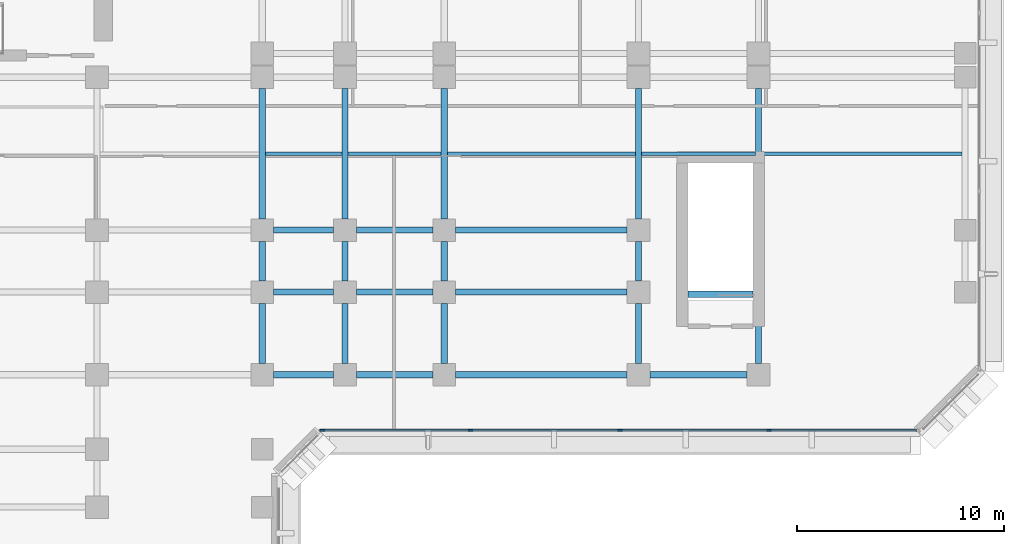
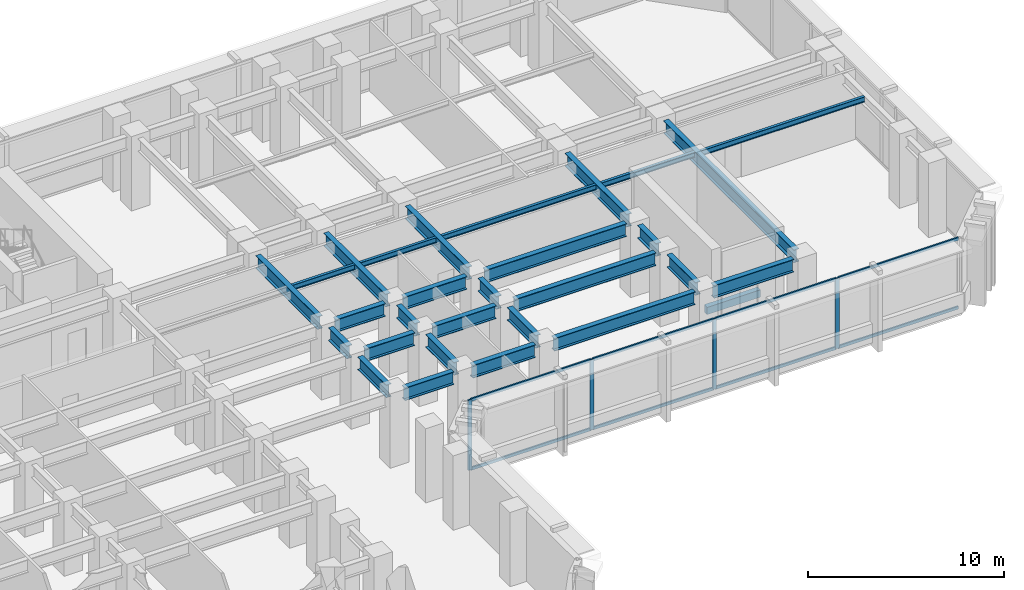
# One storey, part 3 of 14: 29 beams, 12 members, 1 element without a shape of its own.
"""IFC4 building model written with IfcOpenShell, lengths in metres."""

from ifc_helpers import new_model, si_unit, direction, frame, origin, origin_2d, place, context, subcontext, project, spatial, rectangle, i_section, extrude, material, layer, layer_set, material_profile, profile_set, type_object, element, aggregate, save


model = new_model("IFC4")

# Units and contexts
model_context = context("Model", 3, precision=1e-05, world=origin(), true_north=direction((0.0, 1.0)))
body_context = subcontext(model_context, "Body", "Model", "MODEL_VIEW")
ifc_project = project(units=[si_unit("LENGTHUNIT", "METRE"), si_unit("AREAUNIT", "SQUARE_METRE"), si_unit("VOLUMEUNIT", "CUBIC_METRE"), si_unit("PLANEANGLEUNIT", "RADIAN"), si_unit("MASSUNIT", "GRAM", prefix="KILO")], contexts=[model_context])

# Site, building, storey
site_placement = place(None, origin())
site = spatial("IfcSite", under=ifc_project, at=site_placement, CompositionType="ELEMENT")
building_placement = place(site_placement, origin())
building = spatial("IfcBuilding", under=site, at=building_placement, Name="Kefirva Bronze Tower", CompositionType="ELEMENT")
storey_placement = place(building_placement, frame((0.0, 0.0, 25.739990234375)))
storey = spatial("IfcBuildingStorey", under=building, at=storey_placement, Name="L05", CompositionType="ELEMENT", Elevation=25.739990234375)

# Curtain wall, members
ifc_material_1 = material(Name="Bronze anodised aluminium", Category="aluminium")
ifc_layer = layer(ifc_material_1, 0.239990234375, Name="Bronze anodised aluminium")
ifc_layer_set = layer_set([ifc_layer], Name="Bronze anodised aluminium")
curtain_wall_type = type_object("IfcCurtainWallType", Name="Podium Double-Height Glazed Curtain Wall", PredefinedType="USERDEFINED", material=ifc_layer_set)
curtain_wall_placement = place(storey_placement, origin())
curtain_wall = element("IfcCurtainWall", 1, at=curtain_wall_placement, inside=storey, type_object=curtain_wall_type, Name="L05 Curtain Wall 2", ObjectType="UNITISED CURTAIN WALL", PredefinedType="USERDEFINED")
ifc_material_profile_1 = material_profile(ifc_material_1, rectangle(XDim=0.090087890625, YDim=0.219970703125, at=origin_2d()), Name="ALU 90x220")
ifc_profile_set_1 = profile_set([ifc_material_profile_1], Name="Bronze anodised aluminium")
member_type_1 = type_object("IfcMemberType", Name="Bronze Mullion 90x220", PredefinedType="MULLION", material=ifc_profile_set_1)
member_1_placement = place(storey_placement, frame((34.10009765625, 16.1201171875, 0.0), z_axis=(0.0, 0.0, 1.0), x_axis=(0.0, 1.0, 0.0)))
member_1 = element("IfcMember", 2, at=member_1_placement, type_object=member_type_1, Name="CW-05 mullion 1", PredefinedType="MULLION", context=body_context, shape_type="SweptSolid", body=[
    extrude(rectangle(XDim=0.090087890625, YDim=0.219970703125, at=origin_2d()), origin(), (0.0, 0.0, 1.0), 4.3701171875),
])
member_2_placement = place(storey_placement, frame((41.277587890625, 16.1201171875, 0.0), z_axis=(0.0, 0.0, 1.0), x_axis=(0.0, 1.0, 0.0)))
member_2 = element("IfcMember", 3, at=member_2_placement, type_object=member_type_1, Name="CW-05 mullion 2", PredefinedType="MULLION", context=body_context, shape_type="SweptSolid", body=[
    extrude(rectangle(XDim=0.090087890625, YDim=0.219970703125, at=origin_2d()), origin(), (0.0, 0.0, 1.0), 4.3701171875),
])
member_3_placement = place(storey_placement, frame((48.5, 16.1201171875, 0.0), z_axis=(0.0, 0.0, 1.0), x_axis=(0.0, 1.0, 0.0)))
member_3 = element("IfcMember", 4, at=member_3_placement, type_object=member_type_1, Name="CW-05 mullion 3", PredefinedType="MULLION", context=body_context, shape_type="SweptSolid", body=[
    extrude(rectangle(XDim=0.090087890625, YDim=0.219970703125, at=origin_2d()), origin(), (0.0, 0.0, 1.0), 4.3701171875),
])
member_4_placement = place(storey_placement, frame((55.722412109375, 16.1201171875, 0.0), z_axis=(0.0, 0.0, 1.0), x_axis=(0.0, 1.0, 0.0)))
member_4 = element("IfcMember", 5, at=member_4_placement, type_object=member_type_1, Name="CW-05 mullion 4", PredefinedType="MULLION", context=body_context, shape_type="SweptSolid", body=[
    extrude(rectangle(XDim=0.090087890625, YDim=0.219970703125, at=origin_2d()), origin(), (0.0, 0.0, 1.0), 4.3701171875),
])
ifc_material_profile_2 = material_profile(ifc_material_1, rectangle(XDim=0.090087890625, YDim=0.179931640625, at=origin_2d()), Name="ALU 90x180")
ifc_profile_set_2 = profile_set([ifc_material_profile_2], Name="Bronze anodised aluminium")
member_type_2 = type_object("IfcMemberType", Name="Bronze Transom 90x180", PredefinedType="USERDEFINED", material=ifc_profile_set_2)
member_5_placement = place(storey_placement, frame((34.14501953125, 16.1201171875, 0.044921875), z_axis=(1.0, 0.0, 0.0), x_axis=(0.0, 1.0, 0.0)))
member_5 = element("IfcMember", 6, at=member_5_placement, type_object=member_type_2, Name="CW-05 transom 1.1", ObjectType="TRANSOM", PredefinedType="USERDEFINED", context=body_context, shape_type="SweptSolid", body=[
    extrude(rectangle(XDim=0.090087890625, YDim=0.179931640625, at=origin_2d()), origin(), (0.0, 0.0, 1.0), 7.08740234375),
])
member_6_placement = place(storey_placement, frame((34.14501953125, 16.1201171875, 4.324951171875), z_axis=(1.0, 0.0, 0.0), x_axis=(0.0, 1.0, 0.0)))
member_6 = element("IfcMember", 7, at=member_6_placement, type_object=member_type_2, Name="CW-05 transom 1.2", ObjectType="TRANSOM", PredefinedType="USERDEFINED", context=body_context, shape_type="SweptSolid", body=[
    extrude(rectangle(XDim=0.090087890625, YDim=0.179931640625, at=origin_2d()), origin(), (0.0, 0.0, 1.0), 7.08740234375),
])
member_7_placement = place(storey_placement, frame((41.322509765625, 16.1201171875, 0.044921875), z_axis=(1.0, 0.0, 0.0), x_axis=(0.0, 1.0, 0.0)))
member_7 = element("IfcMember", 8, at=member_7_placement, type_object=member_type_2, Name="CW-05 transom 2.1", ObjectType="TRANSOM", PredefinedType="USERDEFINED", context=body_context, shape_type="SweptSolid", body=[
    extrude(rectangle(XDim=0.090087890625, YDim=0.179931640625, at=origin_2d()), origin(), (0.0, 0.0, 1.0), 7.132568359375),
])
member_8_placement = place(storey_placement, frame((41.322509765625, 16.1201171875, 4.324951171875), z_axis=(1.0, 0.0, 0.0), x_axis=(0.0, 1.0, 0.0)))
member_8 = element("IfcMember", 9, at=member_8_placement, type_object=member_type_2, Name="CW-05 transom 2.2", ObjectType="TRANSOM", PredefinedType="USERDEFINED", context=body_context, shape_type="SweptSolid", body=[
    extrude(rectangle(XDim=0.090087890625, YDim=0.179931640625, at=origin_2d()), origin(), (0.0, 0.0, 1.0), 7.132568359375),
])
member_9_placement = place(storey_placement, frame((48.544921875, 16.1201171875, 0.044921875), z_axis=(1.0, 0.0, 0.0), x_axis=(0.0, 1.0, 0.0)))
member_9 = element("IfcMember", 10, at=member_9_placement, type_object=member_type_2, Name="CW-05 transom 3.1", ObjectType="TRANSOM", PredefinedType="USERDEFINED", context=body_context, shape_type="SweptSolid", body=[
    extrude(rectangle(XDim=0.090087890625, YDim=0.179931640625, at=origin_2d()), origin(), (0.0, 0.0, 1.0), 7.132568359375),
])
member_10_placement = place(storey_placement, frame((48.544921875, 16.1201171875, 4.324951171875), z_axis=(1.0, 0.0, 0.0), x_axis=(0.0, 1.0, 0.0)))
member_10 = element("IfcMember", 11, at=member_10_placement, type_object=member_type_2, Name="CW-05 transom 3.2", ObjectType="TRANSOM", PredefinedType="USERDEFINED", context=body_context, shape_type="SweptSolid", body=[
    extrude(rectangle(XDim=0.090087890625, YDim=0.179931640625, at=origin_2d()), origin(), (0.0, 0.0, 1.0), 7.132568359375),
])
member_11_placement = place(storey_placement, frame((55.767578125, 16.1201171875, 0.044921875), z_axis=(1.0, 0.0, 0.0), x_axis=(0.0, 1.0, 0.0)))
member_11 = element("IfcMember", 12, at=member_11_placement, type_object=member_type_2, Name="CW-05 transom 4.1", ObjectType="TRANSOM", PredefinedType="USERDEFINED", context=body_context, shape_type="SweptSolid", body=[
    extrude(rectangle(XDim=0.090087890625, YDim=0.179931640625, at=origin_2d()), origin(), (0.0, 0.0, 1.0), 7.08740234375),
])
member_12_placement = place(storey_placement, frame((55.767578125, 16.1201171875, 4.324951171875), z_axis=(1.0, 0.0, 0.0), x_axis=(0.0, 1.0, 0.0)))
member_12 = element("IfcMember", 13, at=member_12_placement, type_object=member_type_2, Name="CW-05 transom 4.2", ObjectType="TRANSOM", PredefinedType="USERDEFINED", context=body_context, shape_type="SweptSolid", body=[
    extrude(rectangle(XDim=0.090087890625, YDim=0.179931640625, at=origin_2d()), origin(), (0.0, 0.0, 1.0), 7.08740234375),
])
aggregate(curtain_wall, [member_1, member_2, member_3, member_4, member_5, member_6, member_7, member_8, member_9, member_10, member_11, member_12])

# Beams
ifc_material_2 = material(Name="Concrete C50/60", Category="concrete")
ifc_material_profile_3 = material_profile(ifc_material_2, rectangle(XDim=0.300048828125, YDim=0.449951171875, at=origin_2d()), Name="RC 300x450")
ifc_profile_set_3 = profile_set([ifc_material_profile_3], Name="Concrete C50/60")
beam_type_1 = type_object("IfcBeamType", Name="RC Stair Trimmer Beam 300x450", PredefinedType="BEAM", material=ifc_profile_set_3)
beam_1_placement = place(storey_placement, frame((51.794921875, 22.699951171875, -0.22509765625), z_axis=(1.0, 0.0, 0.0), x_axis=(0.0, 1.0, 0.0)))
element("IfcBeam", 14, at=beam_1_placement, inside=storey, type_object=beam_type_1, Name="L05 Stair 4 Landing Trimmer Beam", PredefinedType="BEAM", context=body_context, shape_type="SweptSolid", body=[
    extrude(rectangle(XDim=0.300048828125, YDim=0.449951171875, at=origin_2d()), origin(), (0.0, 0.0, 1.0), 3.150146484375),
])
ifc_material_3 = material(Name="Steel S355", Category="steel")
ifc_material_profile_4 = material_profile(ifc_material_3, i_section(OverallWidth=0.159912109375, OverallDepth=0.330078125, WebThickness=0.007568359375, FlangeThickness=0.011474609375, at=origin_2d()), Name="IPE 330")
ifc_profile_set_4 = profile_set([ifc_material_profile_4], Name="Steel S355")
beam_type_2 = type_object("IfcBeamType", Name="Steel Floor Joist IPE 330", PredefinedType="JOIST", material=ifc_profile_set_4)
beam_2_placement = place(storey_placement, frame((31.35009765625, 29.5, 4.205078125), z_axis=(1.0, 0.0, 0.0), x_axis=(0.0, 1.0, 0.0)))
element("IfcBeam", 15, at=beam_2_placement, inside=storey, type_object=beam_type_2, Name="L05 JST-L05-31-295", PredefinedType="JOIST", context=body_context, shape_type="SweptSolid", body=[
    extrude(i_section(OverallWidth=0.159912109375, OverallDepth=0.330078125, WebThickness=0.007568359375, FlangeThickness=0.011474609375, at=origin_2d()), origin(), (0.0, 0.0, 1.0), 3.699951171875),
])
beam_3_placement = place(storey_placement, frame((35.35009765625, 29.5, 4.205078125), z_axis=(1.0, 0.0, 0.0), x_axis=(0.0, 1.0, 0.0)))
element("IfcBeam", 16, at=beam_3_placement, inside=storey, type_object=beam_type_2, Name="L05 JST-L05-35-295", PredefinedType="JOIST", context=body_context, shape_type="SweptSolid", body=[
    extrude(i_section(OverallWidth=0.159912109375, OverallDepth=0.330078125, WebThickness=0.007568359375, FlangeThickness=0.011474609375, at=origin_2d()), origin(), (0.0, 0.0, 1.0), 4.5),
])
beam_4_placement = place(storey_placement, frame((40.14990234375, 29.5, 4.205078125), z_axis=(1.0, 0.0, 0.0), x_axis=(0.0, 1.0, 0.0)))
element("IfcBeam", 17, at=beam_4_placement, inside=storey, type_object=beam_type_2, Name="L05 JST-L05-40-295", PredefinedType="JOIST", context=body_context, shape_type="SweptSolid", body=[
    extrude(i_section(OverallWidth=0.159912109375, OverallDepth=0.330078125, WebThickness=0.007568359375, FlangeThickness=0.011474609375, at=origin_2d()), origin(), (0.0, 0.0, 1.0), 9.10009765625),
])
beam_5_placement = place(storey_placement, frame((49.550048828125, 29.5, 4.205078125), z_axis=(1.0, 0.0, 0.0), x_axis=(0.0, 1.0, 0.0)))
element("IfcBeam", 18, at=beam_5_placement, inside=storey, type_object=beam_type_2, Name="L05 JST-L05-49-295", PredefinedType="JOIST", context=body_context, shape_type="SweptSolid", body=[
    extrude(i_section(OverallWidth=0.159912109375, OverallDepth=0.330078125, WebThickness=0.007568359375, FlangeThickness=0.011474609375, at=origin_2d()), origin(), (0.0, 0.0, 1.0), 5.5),
])
beam_6_placement = place(storey_placement, frame((55.35009765625, 29.487548828125, 4.155029296875), z_axis=(1.0, 0.0, 0.0), x_axis=(0.0, 1.0, 0.0)))
element("IfcBeam", 19, at=beam_6_placement, inside=storey, type_object=beam_type_2, Name="L05 JST-L05-55-294", PredefinedType="JOIST", context=body_context, shape_type="SweptSolid", body=[
    extrude(i_section(OverallWidth=0.159912109375, OverallDepth=0.330078125, WebThickness=0.007568359375, FlangeThickness=0.011474609375, at=origin_2d()), origin(), (0.0, 0.0, 1.0), 9.699951171875),
])
ifc_material_profile_5 = material_profile(ifc_material_3, i_section(OverallWidth=0.300048828125, OverallDepth=0.800048828125, WebThickness=0.017578125, FlangeThickness=0.032958984375, at=origin_2d()), Name="HEB 800")
ifc_profile_set_5 = profile_set([ifc_material_profile_5], Name="Steel S355")
beam_type_3 = type_object("IfcBeamType", Name="Steel Girder HEB 800", PredefinedType="USERDEFINED", material=ifc_profile_set_5)
beam_7_placement = place(storey_placement, frame((31.75, 18.800048828125, 3.969970703125), z_axis=(1.0, 0.0, 0.0), x_axis=(0.0, 1.0, 0.0)))
element("IfcBeam", 20, at=beam_7_placement, inside=storey, type_object=beam_type_3, Name="L05 BM-L05-EW-31-188", ObjectType="GIRDER", PredefinedType="USERDEFINED", context=body_context, shape_type="SweptSolid", body=[
    extrude(i_section(OverallWidth=0.300048828125, OverallDepth=0.800048828125, WebThickness=0.017578125, FlangeThickness=0.032958984375, at=origin_2d()), origin(), (0.0, 0.0, 1.0), 2.89990234375),
])
beam_8_placement = place(storey_placement, frame((35.75, 18.800048828125, 3.969970703125), z_axis=(1.0, 0.0, 0.0), x_axis=(0.0, 1.0, 0.0)))
element("IfcBeam", 21, at=beam_8_placement, inside=storey, type_object=beam_type_3, Name="L05 BM-L05-EW-35-188", ObjectType="GIRDER", PredefinedType="USERDEFINED", context=body_context, shape_type="SweptSolid", body=[
    extrude(i_section(OverallWidth=0.300048828125, OverallDepth=0.800048828125, WebThickness=0.017578125, FlangeThickness=0.032958984375, at=origin_2d()), origin(), (0.0, 0.0, 1.0), 3.699951171875),
])
beam_9_placement = place(storey_placement, frame((40.550048828125, 18.800048828125, 3.969970703125), z_axis=(1.0, 0.0, 0.0), x_axis=(0.0, 1.0, 0.0)))
element("IfcBeam", 22, at=beam_9_placement, inside=storey, type_object=beam_type_3, Name="L05 BM-L05-EW-40-188", ObjectType="GIRDER", PredefinedType="USERDEFINED", context=body_context, shape_type="SweptSolid", body=[
    extrude(i_section(OverallWidth=0.300048828125, OverallDepth=0.800048828125, WebThickness=0.017578125, FlangeThickness=0.032958984375, at=origin_2d()), origin(), (0.0, 0.0, 1.0), 8.300048828125),
])
beam_10_placement = place(storey_placement, frame((49.949951171875, 18.800048828125, 3.969970703125), z_axis=(1.0, 0.0, 0.0), x_axis=(0.0, 1.0, 0.0)))
element("IfcBeam", 23, at=beam_10_placement, inside=storey, type_object=beam_type_3, Name="L05 BM-L05-EW-49-188", ObjectType="GIRDER", PredefinedType="USERDEFINED", context=body_context, shape_type="SweptSolid", body=[
    extrude(i_section(OverallWidth=0.300048828125, OverallDepth=0.800048828125, WebThickness=0.017578125, FlangeThickness=0.032958984375, at=origin_2d()), origin(), (0.0, 0.0, 1.0), 4.699951171875),
])
beam_11_placement = place(storey_placement, frame((31.75, 22.800048828125, 3.969970703125), z_axis=(1.0, 0.0, 0.0), x_axis=(0.0, 1.0, 0.0)))
element("IfcBeam", 24, at=beam_11_placement, inside=storey, type_object=beam_type_3, Name="L05 BM-L05-EW-31-228", ObjectType="GIRDER", PredefinedType="USERDEFINED", context=body_context, shape_type="SweptSolid", body=[
    extrude(i_section(OverallWidth=0.300048828125, OverallDepth=0.800048828125, WebThickness=0.017578125, FlangeThickness=0.032958984375, at=origin_2d()), origin(), (0.0, 0.0, 1.0), 2.89990234375),
])
beam_12_placement = place(storey_placement, frame((35.75, 22.800048828125, 3.969970703125), z_axis=(1.0, 0.0, 0.0), x_axis=(0.0, 1.0, 0.0)))
element("IfcBeam", 25, at=beam_12_placement, inside=storey, type_object=beam_type_3, Name="L05 BM-L05-EW-35-228", ObjectType="GIRDER", PredefinedType="USERDEFINED", context=body_context, shape_type="SweptSolid", body=[
    extrude(i_section(OverallWidth=0.300048828125, OverallDepth=0.800048828125, WebThickness=0.017578125, FlangeThickness=0.032958984375, at=origin_2d()), origin(), (0.0, 0.0, 1.0), 3.699951171875),
])
beam_13_placement = place(storey_placement, frame((40.550048828125, 22.800048828125, 3.969970703125), z_axis=(1.0, 0.0, 0.0), x_axis=(0.0, 1.0, 0.0)))
element("IfcBeam", 26, at=beam_13_placement, inside=storey, type_object=beam_type_3, Name="L05 BM-L05-EW-40-228", ObjectType="GIRDER", PredefinedType="USERDEFINED", context=body_context, shape_type="SweptSolid", body=[
    extrude(i_section(OverallWidth=0.300048828125, OverallDepth=0.800048828125, WebThickness=0.017578125, FlangeThickness=0.032958984375, at=origin_2d()), origin(), (0.0, 0.0, 1.0), 8.300048828125),
])
beam_14_placement = place(storey_placement, frame((31.75, 25.800048828125, 3.969970703125), z_axis=(1.0, 0.0, 0.0), x_axis=(0.0, 1.0, 0.0)))
element("IfcBeam", 27, at=beam_14_placement, inside=storey, type_object=beam_type_3, Name="L05 BM-L05-EW-31-258", ObjectType="GIRDER", PredefinedType="USERDEFINED", context=body_context, shape_type="SweptSolid", body=[
    extrude(i_section(OverallWidth=0.300048828125, OverallDepth=0.800048828125, WebThickness=0.017578125, FlangeThickness=0.032958984375, at=origin_2d()), origin(), (0.0, 0.0, 1.0), 2.89990234375),
])
beam_15_placement = place(storey_placement, frame((35.75, 25.800048828125, 3.969970703125), z_axis=(1.0, 0.0, 0.0), x_axis=(0.0, 1.0, 0.0)))
element("IfcBeam", 28, at=beam_15_placement, inside=storey, type_object=beam_type_3, Name="L05 BM-L05-EW-35-258", ObjectType="GIRDER", PredefinedType="USERDEFINED", context=body_context, shape_type="SweptSolid", body=[
    extrude(i_section(OverallWidth=0.300048828125, OverallDepth=0.800048828125, WebThickness=0.017578125, FlangeThickness=0.032958984375, at=origin_2d()), origin(), (0.0, 0.0, 1.0), 3.699951171875),
])
beam_16_placement = place(storey_placement, frame((40.550048828125, 25.800048828125, 3.969970703125), z_axis=(1.0, 0.0, 0.0), x_axis=(0.0, 1.0, 0.0)))
element("IfcBeam", 29, at=beam_16_placement, inside=storey, type_object=beam_type_3, Name="L05 BM-L05-EW-40-258", ObjectType="GIRDER", PredefinedType="USERDEFINED", context=body_context, shape_type="SweptSolid", body=[
    extrude(i_section(OverallWidth=0.300048828125, OverallDepth=0.800048828125, WebThickness=0.017578125, FlangeThickness=0.032958984375, at=origin_2d()), origin(), (0.0, 0.0, 1.0), 8.300048828125),
])
beam_17_placement = place(storey_placement, frame((31.199951171875, 19.35009765625, 3.969970703125), z_axis=(0.0, 1.0, 0.0), x_axis=(-1.0, 0.0, 0.0)))
element("IfcBeam", 30, at=beam_17_placement, inside=storey, type_object=beam_type_3, Name="L05 BM-L05-NS-312-18", ObjectType="GIRDER", PredefinedType="USERDEFINED", context=body_context, shape_type="SweptSolid", body=[
    extrude(i_section(OverallWidth=0.300048828125, OverallDepth=0.800048828125, WebThickness=0.017578125, FlangeThickness=0.032958984375, at=origin_2d()), origin(), (0.0, 0.0, 1.0), 2.89990234375),
])
beam_18_placement = place(storey_placement, frame((31.199951171875, 23.35009765625, 3.969970703125), z_axis=(0.0, 1.0, 0.0), x_axis=(-1.0, 0.0, 0.0)))
element("IfcBeam", 31, at=beam_18_placement, inside=storey, type_object=beam_type_3, Name="L05 BM-L05-NS-312-22", ObjectType="GIRDER", PredefinedType="USERDEFINED", context=body_context, shape_type="SweptSolid", body=[
    extrude(i_section(OverallWidth=0.300048828125, OverallDepth=0.800048828125, WebThickness=0.017578125, FlangeThickness=0.032958984375, at=origin_2d()), origin(), (0.0, 0.0, 1.0), 1.89990234375),
])
beam_19_placement = place(storey_placement, frame((31.199951171875, 26.35009765625, 3.969970703125), z_axis=(0.0, 1.0, 0.0), x_axis=(-1.0, 0.0, 0.0)))
element("IfcBeam", 32, at=beam_19_placement, inside=storey, type_object=beam_type_3, Name="L05 BM-L05-NS-312-25", ObjectType="GIRDER", PredefinedType="USERDEFINED", context=body_context, shape_type="SweptSolid", body=[
    extrude(i_section(OverallWidth=0.300048828125, OverallDepth=0.800048828125, WebThickness=0.017578125, FlangeThickness=0.032958984375, at=origin_2d()), origin(), (0.0, 0.0, 1.0), 6.2998046875),
])
beam_20_placement = place(storey_placement, frame((35.199951171875, 19.35009765625, 3.969970703125), z_axis=(0.0, 1.0, 0.0), x_axis=(-1.0, 0.0, 0.0)))
element("IfcBeam", 33, at=beam_20_placement, inside=storey, type_object=beam_type_3, Name="L05 BM-L05-NS-352-18", ObjectType="GIRDER", PredefinedType="USERDEFINED", context=body_context, shape_type="SweptSolid", body=[
    extrude(i_section(OverallWidth=0.300048828125, OverallDepth=0.800048828125, WebThickness=0.017578125, FlangeThickness=0.032958984375, at=origin_2d()), origin(), (0.0, 0.0, 1.0), 2.89990234375),
])
beam_21_placement = place(storey_placement, frame((35.199951171875, 23.35009765625, 3.969970703125), z_axis=(0.0, 1.0, 0.0), x_axis=(-1.0, 0.0, 0.0)))
element("IfcBeam", 34, at=beam_21_placement, inside=storey, type_object=beam_type_3, Name="L05 BM-L05-NS-352-22", ObjectType="GIRDER", PredefinedType="USERDEFINED", context=body_context, shape_type="SweptSolid", body=[
    extrude(i_section(OverallWidth=0.300048828125, OverallDepth=0.800048828125, WebThickness=0.017578125, FlangeThickness=0.032958984375, at=origin_2d()), origin(), (0.0, 0.0, 1.0), 1.89990234375),
])
beam_22_placement = place(storey_placement, frame((35.199951171875, 26.35009765625, 3.969970703125), z_axis=(0.0, 1.0, 0.0), x_axis=(-1.0, 0.0, 0.0)))
element("IfcBeam", 35, at=beam_22_placement, inside=storey, type_object=beam_type_3, Name="L05 BM-L05-NS-352-25", ObjectType="GIRDER", PredefinedType="USERDEFINED", context=body_context, shape_type="SweptSolid", body=[
    extrude(i_section(OverallWidth=0.300048828125, OverallDepth=0.800048828125, WebThickness=0.017578125, FlangeThickness=0.032958984375, at=origin_2d()), origin(), (0.0, 0.0, 1.0), 6.2998046875),
])
beam_23_placement = place(storey_placement, frame((40.0, 19.35009765625, 3.969970703125), z_axis=(0.0, 1.0, 0.0), x_axis=(-1.0, 0.0, 0.0)))
element("IfcBeam", 36, at=beam_23_placement, inside=storey, type_object=beam_type_3, Name="L05 BM-L05-NS-400-18", ObjectType="GIRDER", PredefinedType="USERDEFINED", context=body_context, shape_type="SweptSolid", body=[
    extrude(i_section(OverallWidth=0.300048828125, OverallDepth=0.800048828125, WebThickness=0.017578125, FlangeThickness=0.032958984375, at=origin_2d()), origin(), (0.0, 0.0, 1.0), 2.89990234375),
])
beam_24_placement = place(storey_placement, frame((40.0, 23.35009765625, 3.969970703125), z_axis=(0.0, 1.0, 0.0), x_axis=(-1.0, 0.0, 0.0)))
element("IfcBeam", 37, at=beam_24_placement, inside=storey, type_object=beam_type_3, Name="L05 BM-L05-NS-400-22", ObjectType="GIRDER", PredefinedType="USERDEFINED", context=body_context, shape_type="SweptSolid", body=[
    extrude(i_section(OverallWidth=0.300048828125, OverallDepth=0.800048828125, WebThickness=0.017578125, FlangeThickness=0.032958984375, at=origin_2d()), origin(), (0.0, 0.0, 1.0), 1.89990234375),
])
beam_25_placement = place(storey_placement, frame((40.0, 26.35009765625, 3.969970703125), z_axis=(0.0, 1.0, 0.0), x_axis=(-1.0, 0.0, 0.0)))
element("IfcBeam", 38, at=beam_25_placement, inside=storey, type_object=beam_type_3, Name="L05 BM-L05-NS-400-25", ObjectType="GIRDER", PredefinedType="USERDEFINED", context=body_context, shape_type="SweptSolid", body=[
    extrude(i_section(OverallWidth=0.300048828125, OverallDepth=0.800048828125, WebThickness=0.017578125, FlangeThickness=0.032958984375, at=origin_2d()), origin(), (0.0, 0.0, 1.0), 6.2998046875),
])
beam_26_placement = place(storey_placement, frame((49.39990234375, 19.35009765625, 3.969970703125), z_axis=(0.0, 1.0, 0.0), x_axis=(-1.0, 0.0, 0.0)))
element("IfcBeam", 39, at=beam_26_placement, inside=storey, type_object=beam_type_3, Name="L05 BM-L05-NS-494-18", ObjectType="GIRDER", PredefinedType="USERDEFINED", context=body_context, shape_type="SweptSolid", body=[
    extrude(i_section(OverallWidth=0.300048828125, OverallDepth=0.800048828125, WebThickness=0.017578125, FlangeThickness=0.032958984375, at=origin_2d()), origin(), (0.0, 0.0, 1.0), 2.89990234375),
])
beam_27_placement = place(storey_placement, frame((49.39990234375, 23.35009765625, 3.969970703125), z_axis=(0.0, 1.0, 0.0), x_axis=(-1.0, 0.0, 0.0)))
element("IfcBeam", 40, at=beam_27_placement, inside=storey, type_object=beam_type_3, Name="L05 BM-L05-NS-494-22", ObjectType="GIRDER", PredefinedType="USERDEFINED", context=body_context, shape_type="SweptSolid", body=[
    extrude(i_section(OverallWidth=0.300048828125, OverallDepth=0.800048828125, WebThickness=0.017578125, FlangeThickness=0.032958984375, at=origin_2d()), origin(), (0.0, 0.0, 1.0), 1.89990234375),
])
beam_28_placement = place(storey_placement, frame((49.39990234375, 26.35009765625, 3.969970703125), z_axis=(0.0, 1.0, 0.0), x_axis=(-1.0, 0.0, 0.0)))
element("IfcBeam", 41, at=beam_28_placement, inside=storey, type_object=beam_type_3, Name="L05 BM-L05-NS-494-25", ObjectType="GIRDER", PredefinedType="USERDEFINED", context=body_context, shape_type="SweptSolid", body=[
    extrude(i_section(OverallWidth=0.300048828125, OverallDepth=0.800048828125, WebThickness=0.017578125, FlangeThickness=0.032958984375, at=origin_2d()), origin(), (0.0, 0.0, 1.0), 6.2998046875),
])
beam_29_placement = place(storey_placement, frame((55.199951171875, 19.35009765625, 3.969970703125), z_axis=(0.0, 1.0, 0.0), x_axis=(-1.0, 0.0, 0.0)))
element("IfcBeam", 42, at=beam_29_placement, inside=storey, type_object=beam_type_3, Name="L05 BM-L05-NS-552-18", ObjectType="GIRDER", PredefinedType="USERDEFINED", context=body_context, shape_type="SweptSolid", body=[
    extrude(i_section(OverallWidth=0.300048828125, OverallDepth=0.800048828125, WebThickness=0.017578125, FlangeThickness=0.032958984375, at=origin_2d()), origin(), (0.0, 0.0, 1.0), 13.2998046875),
])

save(model, "model.ifc")
